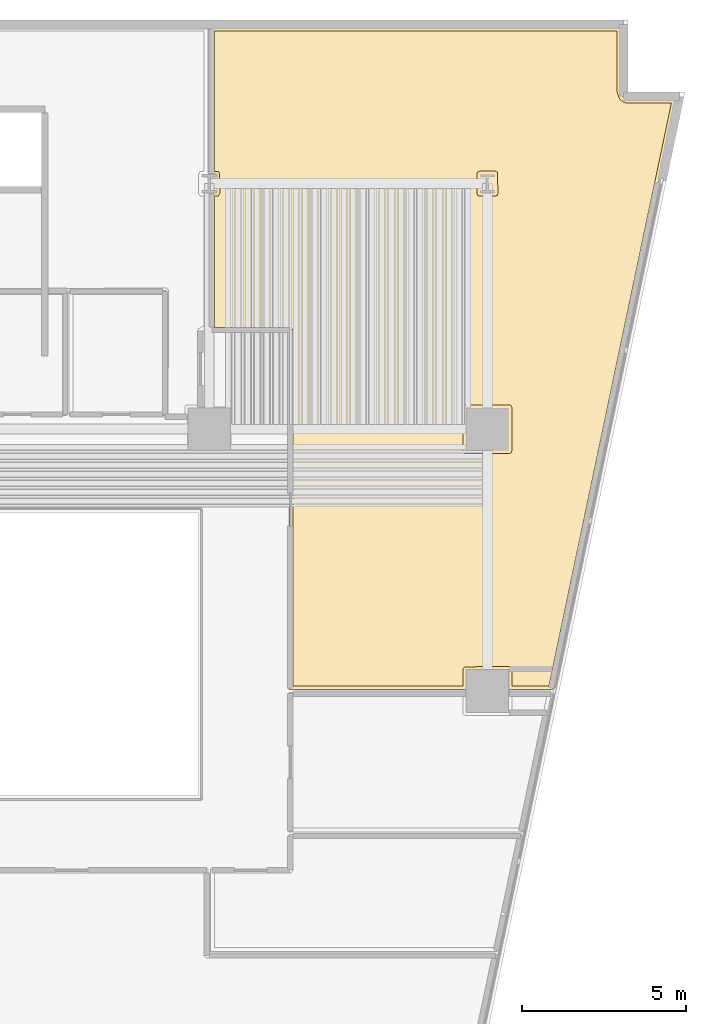
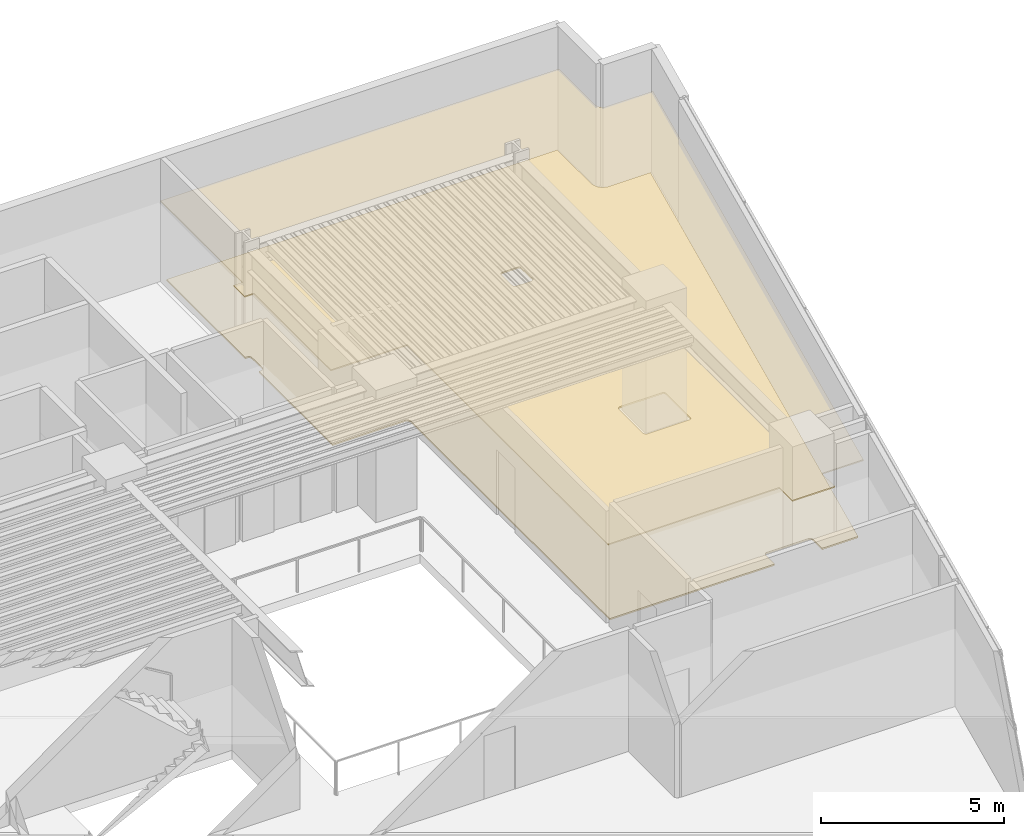
# One storey, part 12 of 12: 2 coverings.
"""IFC4 building model written with IfcOpenShell, lengths in metres."""

from ifc_helpers import new_model, si_unit, direction, frame, origin, place, context, subcontext, project, spatial, polyline, outline, extrude, material, layer, layer_set, type_object, element, save


model = new_model("IFC4")

# Units and contexts
model_context = context("Model", 3, precision=1e-05, world=origin(), true_north=direction((0.0, 1.0)))
body_context = subcontext(model_context, "Body", "Model", "MODEL_VIEW")
ifc_project = project(units=[si_unit("LENGTHUNIT", "METRE"), si_unit("AREAUNIT", "SQUARE_METRE"), si_unit("VOLUMEUNIT", "CUBIC_METRE"), si_unit("PLANEANGLEUNIT", "RADIAN"), si_unit("MASSUNIT", "GRAM", prefix="KILO")], contexts=[model_context])

# Site, building, storey
site_placement = place(None, origin())
site = spatial("IfcSite", under=ifc_project, at=site_placement, CompositionType="ELEMENT")
building_placement = place(site_placement, origin())
building = spatial("IfcBuilding", under=site, at=building_placement, Name="Caeloran Harvest Quay", CompositionType="ELEMENT")
storey_placement = place(building_placement, frame((0.0, 0.0, 31.39990234375)))
storey = spatial("IfcBuildingStorey", under=building, at=storey_placement, Name="L07", CompositionType="ELEMENT", Elevation=31.39990234375)

# Coverings
ifc_material_1 = material(Name="Perforated Mineral-Fibre Acoustic Ceiling Tile", Category="ceiling")
ifc_layer_1 = layer(ifc_material_1, 0.0400390625, Name="Perforated Mineral-Fibre Acoustic Ceiling Tile")
ifc_layer_set_1 = layer_set([ifc_layer_1], Name="Perforated Mineral-Fibre Acoustic Ceiling Tile")
covering_type_1 = type_object("IfcCoveringType", Name="COV-CEILING-ACOUSTIC", PredefinedType="CEILING", material=ifc_layer_set_1)
covering_1_placement = place(storey_placement, frame((0.0, 0.0, 2.60009765625)))
element("IfcCovering", 1, at=covering_1_placement, inside=storey, type_object=covering_type_1, Name="Aeroponic Root-Mist Growing Chamber 10 Acoustic Ceiling", PredefinedType="CEILING", context=body_context, shape_type="SweptSolid", body=[
    extrude(outline(polyline([(50.330078125, 23.0400390625), (44.93994140625, 23.0400390625), (44.93994140625, 33.989990234375), (42.5400390625, 33.989990234375), (42.5400390625, 38.195556640625), (42.2529296875, 38.195556640625), (42.2529296875, 38.804443359375), (42.5400390625, 38.804443359375), (42.5400390625, 43.280029296875), (55.080078125, 43.280029296875), (55.080078125, 41.301025390625), (55.089599609375, 41.236083984375), (55.1298828125, 41.160400390625), (55.1962890625, 41.10595703125), (55.2783203125, 41.0810546875), (56.766845703125, 41.080078125), (52.97705078125, 23.0400390625), (51.669921875, 23.0400390625), (51.669921875, 22.330078125), (50.330078125, 22.330078125), (50.330078125, 23.0400390625)])), origin(), (0.0, 0.0, 1.0), 0.0400390625),
])
ifc_material_2 = material(Name="Calcium-Sulphate Raised Access Floor and Terrazzo Finish", Category="flooring")
ifc_layer_2 = layer(ifc_material_2, 0.050048828125, Name="Calcium-Sulphate Raised Access Floor and Terrazzo Finish")
ifc_layer_set_2 = layer_set([ifc_layer_2], Name="Calcium-Sulphate Raised Access Floor and Terrazzo Finish")
covering_type_2 = type_object("IfcCoveringType", Name="COV-FLOOR-RAISED", PredefinedType="FLOORING", material=ifc_layer_set_2)
covering_2_placement = place(storey_placement, origin())
element("IfcCovering", 2, at=covering_2_placement, inside=storey, type_object=covering_type_2, Name="Aeroponic Root-Mist Growing Chamber 10 Raised Finish Flooring", PredefinedType="FLOORING", context=body_context, shape_type="SweptSolid", body=[
    extrude(outline(polyline([(45.056396484375, 34.028076171875), (45.0166015625, 34.08740234375), (44.953857421875, 34.10986328125), (42.659912109375, 34.110107421875), (42.659912109375, 38.12060546875), (42.77978515625, 38.1298828125), (42.822021484375, 38.200439453125), (42.820556640625, 38.815185546875), (42.772705078125, 38.873291015625), (42.659912109375, 38.87939453125), (42.659912109375, 43.159912109375), (54.9599609375, 43.159912109375), (54.960205078125, 41.296142578125), (55.034912109375, 41.08740234375), (55.143310546875, 40.998291015625), (55.2705078125, 40.961181640625), (56.618896484375, 40.9599609375), (52.879638671875, 23.159912109375), (51.7451171875, 23.159912109375), (51.74462890625, 23.6728515625), (51.7158203125, 23.726806640625), (51.6650390625, 23.7451171875), (50.304443359375, 23.739013671875), (50.25537109375, 23.6728515625), (50.2548828125, 23.159912109375), (45.06005859375, 23.159912109375), (45.056396484375, 34.028076171875)]), holes=[polyline([(51.7451171875, 31.6650390625), (51.7216796875, 31.7216796875), (51.6650390625, 31.7451171875), (50.3349609375, 31.7451171875), (50.2783203125, 31.7216796875), (50.2548828125, 31.6650390625), (50.2548828125, 30.3349609375), (50.2783203125, 30.2783203125), (50.3349609375, 30.2548828125), (51.6650390625, 30.2548828125), (51.7216796875, 30.2783203125), (51.7451171875, 30.3349609375), (51.7451171875, 31.6650390625)]), polyline([(51.322021484375, 38.200439453125), (51.3037109375, 38.850341796875), (51.249755859375, 38.879150390625), (50.758056640625, 38.87939453125), (50.701416015625, 38.856201171875), (50.677978515625, 38.799560546875), (50.677978515625, 38.200439453125), (50.701416015625, 38.143798828125), (50.758056640625, 38.12060546875), (51.241943359375, 38.12060546875), (51.298583984375, 38.143798828125), (51.322021484375, 38.200439453125)])]), origin(), (0.0, 0.0, 1.0), 0.050048828125),
])

save(model, "model.ifc")
